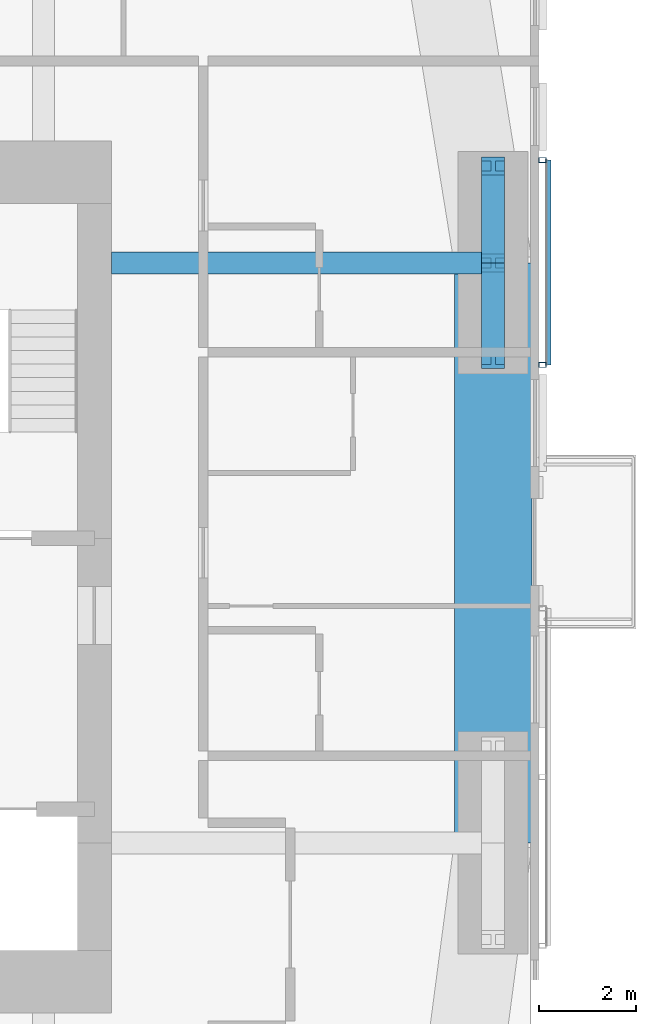
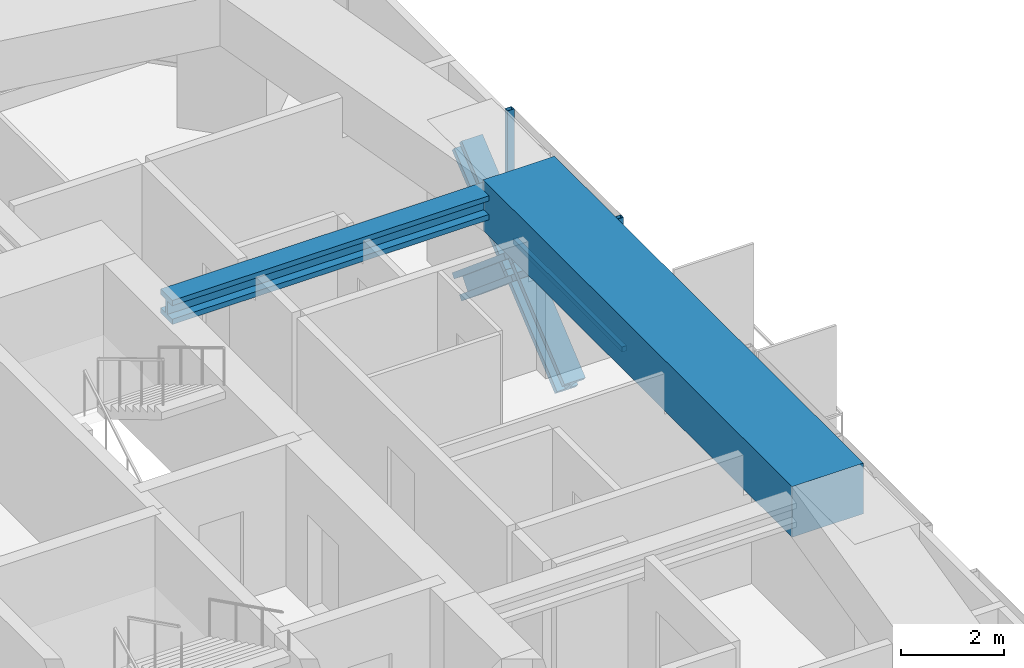
# One storey, part 8 of 22: 7 members, 2 beams, 1 element without a shape of its own.
"""IFC4 building model written with IfcOpenShell, lengths in metres."""

from ifc_helpers import new_model, si_unit, direction, frame, origin, origin_2d, place, context, subcontext, project, spatial, rectangle, hollow_rectangle, i_section, extrude, material, material_profile, profile_set, type_object, element, aggregate, save


model = new_model("IFC4")

# Units and contexts
model_context = context("Model", 3, precision=1e-05, world=origin(), true_north=direction((0.0, 1.0)))
body_context = subcontext(model_context, "Body", "Model", "MODEL_VIEW")
ifc_project = project(units=[si_unit("LENGTHUNIT", "METRE"), si_unit("AREAUNIT", "SQUARE_METRE"), si_unit("VOLUMEUNIT", "CUBIC_METRE"), si_unit("PLANEANGLEUNIT", "RADIAN"), si_unit("MASSUNIT", "GRAM", prefix="KILO")], contexts=[model_context])

# Site, building, storey
site_placement = place(None, origin())
site = spatial("IfcSite", under=ifc_project, at=site_placement, CompositionType="ELEMENT")
building_placement = place(site_placement, origin())
building = spatial("IfcBuilding", under=site, at=building_placement, Name="Jalousie Tower", CompositionType="ELEMENT")
storey_placement = place(building_placement, frame((0.0, 0.0, 174.449951171875)))
storey = spatial("IfcBuildingStorey", under=building, at=storey_placement, Name="L47", CompositionType="ELEMENT", Elevation=174.449951171875)

# Beam
ifc_material_1 = material(Name="Steel ASTM A992 Grade 50", Category="steel")
ifc_material_profile_1 = material_profile(ifc_material_1, i_section(OverallWidth=0.45458984375, OverallDepth=0.569091796875, WebThickness=0.077880859375, FlangeThickness=0.124755859375, at=origin_2d()), Name="W14X730")
ifc_profile_set_1 = profile_set([ifc_material_profile_1], Name="Steel ASTM A992 Grade 50")
beam_type_1 = type_object("IfcBeamType", Name="LEAN COLLECTOR W14X730", PredefinedType="BEAM", material=ifc_profile_set_1)
beam_1_placement = place(storey_placement, frame((52.050048828125, 25.0, 2.825439453125), z_axis=(-1.0, 0.0, 0.0), x_axis=(0.0, -1.0, 0.0)))
element("IfcBeam", 1, at=beam_1_placement, inside=storey, type_object=beam_type_1, Name="Lean collector under L48", PredefinedType="BEAM", context=body_context, shape_type="SweptSolid", body=[
    extrude(i_section(OverallWidth=0.45458984375, OverallDepth=0.569091796875, WebThickness=0.077880859375, FlangeThickness=0.124755859375, at=origin_2d()), origin(), (0.0, 0.0, 1.0), 7.900146484375),
])

# Members
ifc_material_2 = material(Name="Steel ASTM A992 Grade 50", Category="steel")
ifc_material_profile_2 = material_profile(ifc_material_2, i_section(OverallWidth=0.472412109375, OverallDepth=0.5791015625, WebThickness=0.094970703125, FlangeThickness=0.1298828125, at=origin_2d()), Name="W14X808")
ifc_profile_set_2 = profile_set([ifc_material_profile_2], Name="Steel ASTM A992 Grade 50")
member_type_1 = type_object("IfcMemberType", Name="PERIMETER BRACE W14X808", PredefinedType="BRACE", material=ifc_profile_set_2)
member_1_placement = place(storey_placement, frame((52.050048828125, 23.0, -0.599853515625), z_axis=(0.0, 0.766684820047, 0.642023665225), x_axis=(-1.0, 0.0, 0.0)))
element("IfcMember", 2, at=member_1_placement, inside=storey, type_object=member_type_1, Name="Perimeter brace 07 L47 part 1", PredefinedType="BRACE", context=body_context, shape_type="SweptSolid", body=[
    extrude(i_section(OverallWidth=0.472412109375, OverallDepth=0.5791015625, WebThickness=0.094970703125, FlangeThickness=0.1298828125, at=origin_2d()), origin(), (0.0, 0.0, 1.0), 2.608642578125),
])
member_2_placement = place(storey_placement, frame((52.050048828125, 25.0, 1.074951171875), z_axis=(0.0, 0.766638753323, 0.642078672674), x_axis=(-1.0, 0.0, 0.0)))
element("IfcMember", 3, at=member_2_placement, inside=storey, type_object=member_type_1, Name="Perimeter brace 07 L47 part 2", PredefinedType="BRACE", context=body_context, shape_type="SweptSolid", body=[
    extrude(i_section(OverallWidth=0.472412109375, OverallDepth=0.5791015625, WebThickness=0.094970703125, FlangeThickness=0.1298828125, at=origin_2d()), origin(), (0.0, 0.0, 1.0), 2.60888671875),
])
member_3_placement = place(storey_placement, frame((52.050048828125, 27.0, -0.599853515625), z_axis=(0.0, -0.766684820047, 0.642023665225), x_axis=(1.0, 0.0, 0.0)))
element("IfcMember", 4, at=member_3_placement, inside=storey, type_object=member_type_1, Name="Perimeter brace 07 L47 part 3", PredefinedType="BRACE", context=body_context, shape_type="SweptSolid", body=[
    extrude(i_section(OverallWidth=0.472412109375, OverallDepth=0.5791015625, WebThickness=0.094970703125, FlangeThickness=0.1298828125, at=origin_2d()), origin(), (0.0, 0.0, 1.0), 2.608642578125),
])
member_4_placement = place(storey_placement, frame((52.050048828125, 25.0, 1.074951171875), z_axis=(0.0, -0.766638753323, 0.642078672674), x_axis=(1.0, 0.0, 0.0)))
element("IfcMember", 5, at=member_4_placement, inside=storey, type_object=member_type_1, Name="Perimeter brace 07 L47 part 4", PredefinedType="BRACE", context=body_context, shape_type="SweptSolid", body=[
    extrude(i_section(OverallWidth=0.472412109375, OverallDepth=0.5791015625, WebThickness=0.094970703125, FlangeThickness=0.1298828125, at=origin_2d()), origin(), (0.0, 0.0, 1.0), 2.60888671875),
])

# Beam
ifc_material_3 = material(Name="Concrete f'c 40 MPa", Category="concrete")
ifc_material_profile_3 = material_profile(ifc_material_3, rectangle(XDim=1.60009765625, YDim=1.199951171875, at=origin_2d()), Name="RC 1600x1200")
ifc_profile_set_3 = profile_set([ifc_material_profile_3], Name="Concrete f'c 40 MPa")
beam_type_2 = type_object("IfcBeamType", Name="RC BEAM 1600x1200", PredefinedType="BEAM", material=ifc_profile_set_3)
beam_2_placement = place(storey_placement, frame((52.050048828125, 13.0, 2.75), z_axis=(0.0, 1.0, 0.0), x_axis=(-1.0, 0.0, 0.0)))
element("IfcBeam", 6, at=beam_2_placement, inside=storey, type_object=beam_type_2, Name="Edge band beam 06-07 under L48", PredefinedType="BEAM", context=body_context, shape_type="SweptSolid", body=[
    extrude(rectangle(XDim=1.60009765625, YDim=1.199951171875, at=origin_2d()), origin(), (0.0, 0.0, 1.0), 12.0),
])

# Curtain wall, members
ifc_material_4 = material(Name="Perforated aluminium sheet", Category="aluminium")
curtain_wall_type = type_object("IfcCurtainWallType", Name="SOLAR SCREEN SS-1", PredefinedType="USERDEFINED", material=ifc_material_4)
curtain_wall_placement = place(storey_placement, origin())
curtain_wall = element("IfcCurtainWall", 7, at=curtain_wall_placement, inside=storey, type_object=curtain_wall_type, Name="Solar screen L47", ObjectType="SOLAR SCREEN SS-1", PredefinedType="USERDEFINED")
ifc_material_5 = material(Name="Steel ASTM A500 Grade C", Category="steel")
ifc_material_profile_4 = material_profile(ifc_material_5, hollow_rectangle(XDim=0.1015625, YDim=0.15234375, WallThickness=0.00634765625, at=origin_2d()), Name="HSS6X4X1/4")
ifc_profile_set_4 = profile_set([ifc_material_profile_4], Name="Steel ASTM A500 Grade C")
member_type_2 = type_object("IfcMemberType", Name="SOLAR SCREEN SS-1 MULLION", PredefinedType="MULLION", material=ifc_profile_set_4)
member_5_placement = place(storey_placement, frame((53.0712890625, 22.887451171875, -0.119873046875), z_axis=(0.0, 0.0, 1.0), x_axis=(0.0, 1.0, 0.0)))
member_5 = element("IfcMember", 8, at=member_5_placement, type_object=member_type_2, Name="SS1 post 1", PredefinedType="MULLION", context=body_context, shape_type="SweptSolid", body=[
    extrude(hollow_rectangle(XDim=0.1015625, YDim=0.15234375, WallThickness=0.00634765625, at=origin_2d()), origin(), (0.0, 0.0, 1.0), 3.22998046875),
])
member_6_placement = place(storey_placement, frame((53.0712890625, 27.12451171875, -0.119873046875), z_axis=(0.0, 0.0, 1.0), x_axis=(0.0, 1.0, 0.0)))
member_6 = element("IfcMember", 9, at=member_6_placement, type_object=member_type_2, Name="SS1 post 2", PredefinedType="MULLION", context=body_context, shape_type="SweptSolid", body=[
    extrude(hollow_rectangle(XDim=0.1015625, YDim=0.15234375, WallThickness=0.00634765625, at=origin_2d()), origin(), (0.0, 0.0, 1.0), 3.22998046875),
])
ifc_material_6 = material(Name="Extruded aluminium screen rail", Category="aluminium")
ifc_material_profile_5 = material_profile(ifc_material_6, rectangle(XDim=0.1015625, YDim=0.1201171875, at=origin_2d()), Name="RAIL 102x120")
ifc_profile_set_5 = profile_set([ifc_material_profile_5], Name="Extruded aluminium screen rail")
member_type_3 = type_object("IfcMemberType", Name="SOLAR SCREEN SS-1 TRANSOM", PredefinedType="USERDEFINED", material=ifc_profile_set_5)
member_7_placement = place(storey_placement, frame((53.1982421875, 22.887451171875, -0.06005859375), z_axis=(0.0, 1.0, 0.0), x_axis=(-1.0, 0.0, 0.0)))
member_7 = element("IfcMember", 10, at=member_7_placement, type_object=member_type_3, Name="SS1 rail", ObjectType="TRANSOM", PredefinedType="USERDEFINED", context=body_context, shape_type="SweptSolid", body=[
    extrude(rectangle(XDim=0.1015625, YDim=0.1201171875, at=origin_2d()), origin(), (0.0, 0.0, 1.0), 4.237060546875),
])
aggregate(curtain_wall, [member_5, member_6, member_7])

save(model, "model.ifc")
